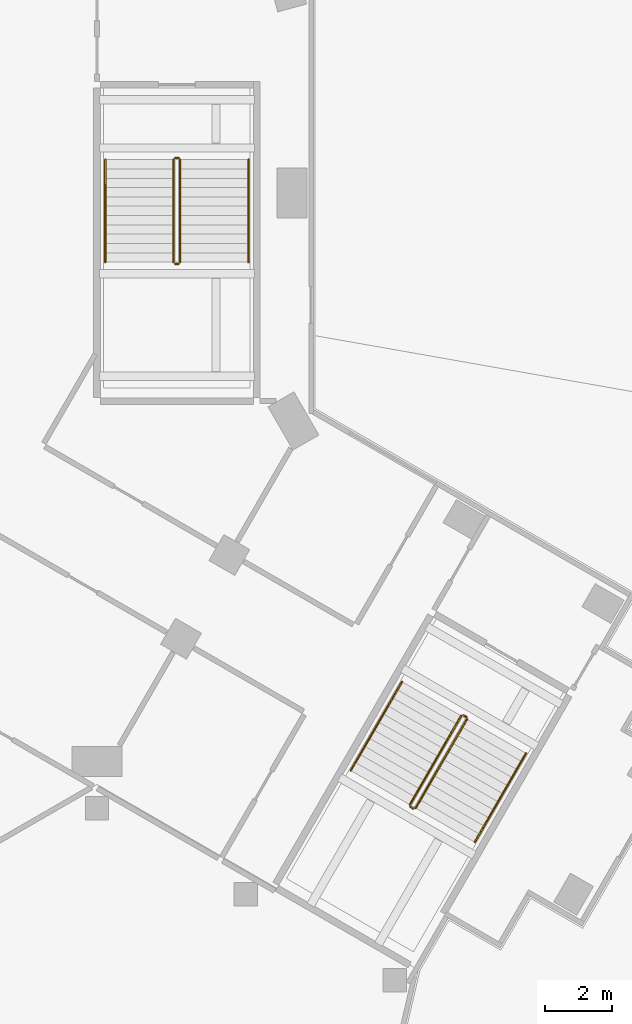
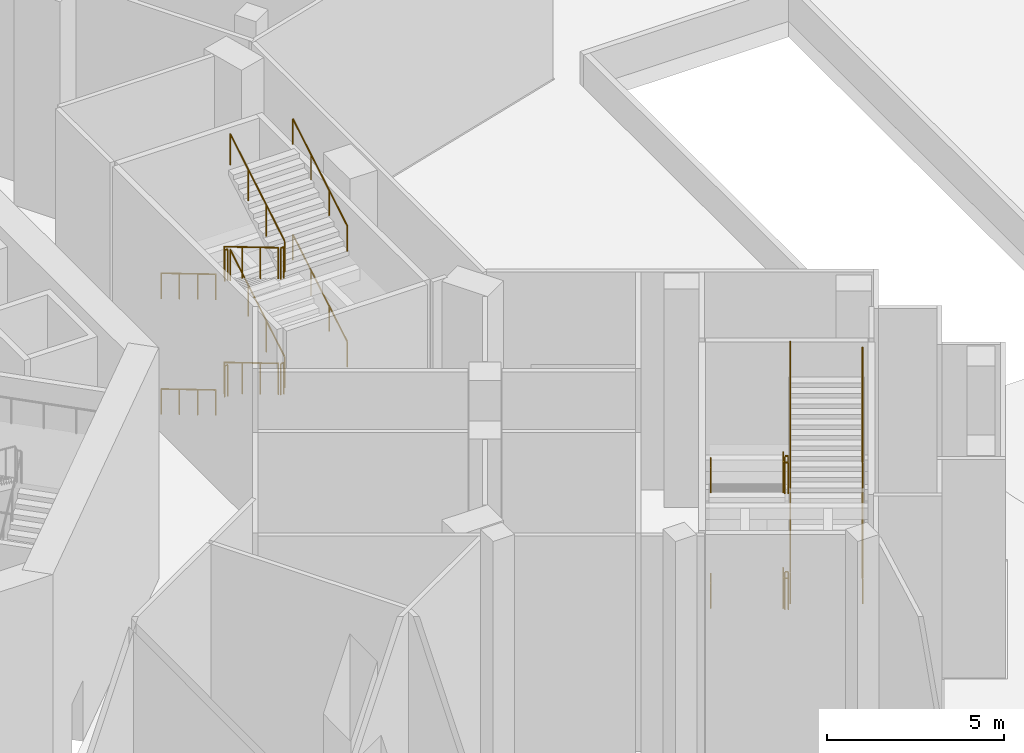
# One storey, part 26 of 30: 24 railings.
"""IFC4 building model written with IfcOpenShell, lengths in metres."""

from ifc_helpers import new_model, si_unit, direction, frame, origin, origin_2d, place, context, subcontext, project, spatial, circle, extrude, material, type_object, element, save


model = new_model("IFC4")

# Units and contexts
model_context = context("Model", 3, precision=1e-05, world=origin(), true_north=direction((0.0, 1.0)))
body_context = subcontext(model_context, "Body", "Model", "MODEL_VIEW")
ifc_project = project(units=[si_unit("LENGTHUNIT", "METRE"), si_unit("AREAUNIT", "SQUARE_METRE"), si_unit("VOLUMEUNIT", "CUBIC_METRE"), si_unit("PLANEANGLEUNIT", "RADIAN"), si_unit("MASSUNIT", "GRAM", prefix="KILO")], contexts=[model_context])

# Site, building, storey
site_placement = place(None, origin())
site = spatial("IfcSite", under=ifc_project, at=site_placement, CompositionType="ELEMENT")
building_placement = place(site_placement, origin())
building = spatial("IfcBuilding", under=site, at=building_placement, Name="Verdalira Terraces Hotel", CompositionType="ELEMENT")
storey_placement = place(building_placement, origin())
storey = spatial("IfcBuildingStorey", under=building, at=storey_placement, Name="L00", CompositionType="ELEMENT", Elevation=0.0)

# Railings
ifc_material_1 = material(Name="Stainless steel", Category="steel")
railing_type_1 = type_object("IfcRailingType", Name="Stair guard 1100", PredefinedType="GUARDRAIL", material=ifc_material_1)
railing_1_placement = place(storey_placement, frame((28.694092, -15.700439, 0.166748)))
element("IfcRailing", 1, at=railing_1_placement, inside=storey, type_object=railing_type_1, Name="L00 PS3 stair guard 1", PredefinedType="GUARDRAIL", context=body_context, shape_type="SweptSolid", body=[
    extrude(circle(Radius=0.023926, at=origin_2d()), frame((0.0, 0.0, 1.076172), z_axis=(-0.429649415, -0.74418984, 0.511451721), x_axis=(0.866029833, -0.499992329, 0.0)), (0.0, 0.0, 1.0), 3.584473),
    extrude(circle(Radius=0.020996, at=origin_2d()), origin(), (0.0, 0.0, 1.0), 1.052002),
    extrude(circle(Radius=0.020996, at=origin_2d()), frame((-0.513428, -0.88916, 0.611084)), (0.0, 0.0, 1.0), 1.052002),
    extrude(circle(Radius=0.020996, at=origin_2d()), frame((-1.026611, -1.77832, 1.222168)), (0.0, 0.0, 1.0), 1.052002),
    extrude(circle(Radius=0.020996, at=origin_2d()), frame((-1.540039, -2.66748, 1.833252)), (0.0, 0.0, 1.0), 1.052002),
])
railing_2_placement = place(storey_placement, frame((27.172363, -18.436035, 2.0)))
element("IfcRailing", 2, at=railing_2_placement, inside=storey, type_object=railing_type_1, Name="L00 PS3 stair guard 2", PredefinedType="GUARDRAIL", context=body_context, shape_type="SweptSolid", body=[
    extrude(circle(Radius=0.023926, at=origin_2d()), frame((0.0, 0.0, 1.076172), z_axis=(0.865982458, -0.500074377, 0.0), x_axis=(0.500074377, 0.865982458, 0.0)), (0.0, 0.0, 1.0), 0.100098),
    extrude(circle(Radius=0.020996, at=origin_2d()), origin(), (0.0, 0.0, 1.0), 1.052002),
    extrude(circle(Radius=0.020996, at=origin_2d()), frame((0.08667, -0.050049, 0.0)), (0.0, 0.0, 1.0), 1.052002),
])
railing_3_placement = place(storey_placement, frame((27.327148, -18.467773, 2.166748)))
element("IfcRailing", 3, at=railing_3_placement, inside=storey, type_object=railing_type_1, Name="L00 PS3 stair guard 3", PredefinedType="GUARDRAIL", context=body_context, shape_type="SweptSolid", body=[
    extrude(circle(Radius=0.023926, at=origin_2d()), frame((0.0, 0.0, 1.076172), z_axis=(0.429671194, 0.744159447, 0.511477646), x_axis=(-0.866010015, 0.500026652, 0.0)), (0.0, 0.0, 1.0), 3.584229),
    extrude(circle(Radius=0.020996, at=origin_2d()), origin(), (0.0, 0.0, 1.0), 1.052002),
    extrude(circle(Radius=0.020996, at=origin_2d()), frame((0.513428, 0.88916, 0.611084)), (0.0, 0.0, 1.0), 1.052002),
    extrude(circle(Radius=0.020996, at=origin_2d()), frame((1.026611, 1.778076, 1.222168)), (0.0, 0.0, 1.0), 1.052002),
    extrude(circle(Radius=0.020996, at=origin_2d()), frame((1.540039, 2.667236, 1.833252)), (0.0, 0.0, 1.0), 1.052002),
])
railing_4_placement = place(storey_placement, frame((28.762451, -15.682129, 4.0)))
element("IfcRailing", 4, at=railing_4_placement, inside=storey, type_object=railing_type_1, Name="L00 PS3 stair guard 4", PredefinedType="GUARDRAIL", context=body_context, shape_type="SweptSolid", body=[
    extrude(circle(Radius=0.023926, at=origin_2d()), frame((0.0, 0.0, 1.076172), z_axis=(0.865370492, -0.501132629, 0.0), x_axis=(0.501132629, 0.865370492, 0.0)), (0.0, 0.0, 1.0), 0.099854),
    extrude(circle(Radius=0.020996, at=origin_2d()), origin(), (0.0, 0.0, 1.0), 1.052002),
    extrude(circle(Radius=0.020996, at=origin_2d()), frame((0.086426, -0.050049, 0.0)), (0.0, 0.0, 1.0), 1.052002),
])
railing_5_placement = place(storey_placement, frame((28.694092, -15.700439, 4.166748)))
element("IfcRailing", 5, at=railing_5_placement, inside=storey, type_object=railing_type_1, Name="L00 PS3 stair guard 5", PredefinedType="GUARDRAIL", context=body_context, shape_type="SweptSolid", body=[
    extrude(circle(Radius=0.023926, at=origin_2d()), frame((0.0, 0.0, 1.076172), z_axis=(-0.429649415, -0.74418984, 0.511451721), x_axis=(0.866029833, -0.499992329, 0.0)), (0.0, 0.0, 1.0), 3.584473),
    extrude(circle(Radius=0.020996, at=origin_2d()), origin(), (0.0, 0.0, 1.0), 1.052002),
    extrude(circle(Radius=0.020996, at=origin_2d()), frame((-0.513428, -0.88916, 0.611084)), (0.0, 0.0, 1.0), 1.052002),
    extrude(circle(Radius=0.020996, at=origin_2d()), frame((-1.026611, -1.77832, 1.222168)), (0.0, 0.0, 1.0), 1.052002),
    extrude(circle(Radius=0.020996, at=origin_2d()), frame((-1.540039, -2.66748, 1.833252)), (0.0, 0.0, 1.0), 1.052002),
])
railing_6_placement = place(storey_placement, frame((27.172363, -18.436035, 6.0)))
element("IfcRailing", 6, at=railing_6_placement, inside=storey, type_object=railing_type_1, Name="L00 PS3 stair guard 6", PredefinedType="GUARDRAIL", context=body_context, shape_type="SweptSolid", body=[
    extrude(circle(Radius=0.023926, at=origin_2d()), frame((0.0, 0.0, 1.076172), z_axis=(0.865982458, -0.500074377, 0.0), x_axis=(0.500074377, 0.865982458, 0.0)), (0.0, 0.0, 1.0), 0.100098),
    extrude(circle(Radius=0.020996, at=origin_2d()), origin(), (0.0, 0.0, 1.0), 1.052002),
    extrude(circle(Radius=0.020996, at=origin_2d()), frame((0.08667, -0.050049, 0.0)), (0.0, 0.0, 1.0), 1.052002),
])
railing_7_placement = place(storey_placement, frame((27.327148, -18.467773, 6.166748)))
element("IfcRailing", 7, at=railing_7_placement, inside=storey, type_object=railing_type_1, Name="L00 PS3 stair guard 7", PredefinedType="GUARDRAIL", context=body_context, shape_type="SweptSolid", body=[
    extrude(circle(Radius=0.023926, at=origin_2d()), frame((0.0, 0.0, 1.076172), z_axis=(0.429671194, 0.744159447, 0.511477646), x_axis=(-0.866010015, 0.500026652, 0.0)), (0.0, 0.0, 1.0), 3.584229),
    extrude(circle(Radius=0.020996, at=origin_2d()), origin(), (0.0, 0.0, 1.0), 1.052002),
    extrude(circle(Radius=0.020996, at=origin_2d()), frame((0.513428, 0.88916, 0.611084)), (0.0, 0.0, 1.0), 1.052002),
    extrude(circle(Radius=0.020996, at=origin_2d()), frame((1.026611, 1.778076, 1.222168)), (0.0, 0.0, 1.0), 1.052002),
    extrude(circle(Radius=0.020996, at=origin_2d()), frame((1.540039, 2.667236, 1.833252)), (0.0, 0.0, 1.0), 1.052002),
])
railing_8_placement = place(storey_placement, frame((28.762451, -15.682129, 0.0)))
element("IfcRailing", 8, at=railing_8_placement, inside=storey, type_object=railing_type_1, Name="L00 PS3 stair guard 8", PredefinedType="GUARDRAIL", context=body_context, shape_type="SweptSolid", body=[
    extrude(circle(Radius=0.023926, at=origin_2d()), frame((0.0, 0.0, 1.076172), z_axis=(0.865370492, -0.501132629, 0.0), x_axis=(0.501132629, 0.865370492, 0.0)), (0.0, 0.0, 1.0), 0.099854),
    extrude(circle(Radius=0.020996, at=origin_2d()), origin(), (0.0, 0.0, 1.0), 1.052002),
    extrude(circle(Radius=0.020996, at=origin_2d()), frame((0.086426, -0.050049, 0.0)), (0.0, 0.0, 1.0), 1.052002),
])
railing_9_placement = place(storey_placement, frame((20.05835, 1.0, 0.166748)))
element("IfcRailing", 9, at=railing_9_placement, inside=storey, type_object=railing_type_1, Name="L00 PS4 stair guard 1", PredefinedType="GUARDRAIL", context=body_context, shape_type="SweptSolid", body=[
    extrude(circle(Radius=0.023926, at=origin_2d()), frame((0.0, 0.0, 1.076172), z_axis=(0.0, -0.859308565, 0.511457515), x_axis=(1.0, 0.0, 0.0)), (0.0, 0.0, 1.0), 3.584473),
    extrude(circle(Radius=0.020996, at=origin_2d()), origin(), (0.0, 0.0, 1.0), 1.052002),
    extrude(circle(Radius=0.020996, at=origin_2d()), frame((0.0, -1.026611, 0.611084)), (0.0, 0.0, 1.0), 1.052002),
    extrude(circle(Radius=0.020996, at=origin_2d()), frame((0.0, -2.053467, 1.222168)), (0.0, 0.0, 1.0), 1.052002),
    extrude(circle(Radius=0.020996, at=origin_2d()), frame((0.0, -3.080078, 1.833252)), (0.0, 0.0, 1.0), 1.052002),
])
railing_10_placement = place(storey_placement, frame((20.108398, -2.129883, 2.0)))
element("IfcRailing", 10, at=railing_10_placement, inside=storey, type_object=railing_type_1, Name="L00 PS4 stair guard 2", PredefinedType="GUARDRAIL", context=body_context, shape_type="SweptSolid", body=[
    extrude(circle(Radius=0.023926, at=origin_2d()), frame((0.0, 0.0, 1.076172), z_axis=(1.0, 0.0, 0.0), x_axis=(0.0, 1.0, 0.0)), (0.0, 0.0, 1.0), 0.099854),
    extrude(circle(Radius=0.020996, at=origin_2d()), origin(), (0.0, 0.0, 1.0), 1.052002),
    extrude(circle(Radius=0.020996, at=origin_2d()), frame((0.099854, 0.0, 0.0)), (0.0, 0.0, 1.0), 1.052002),
])
railing_11_placement = place(storey_placement, frame((20.258301, -2.080078, 2.166748)))
element("IfcRailing", 11, at=railing_11_placement, inside=storey, type_object=railing_type_1, Name="L00 PS4 stair guard 3", PredefinedType="GUARDRAIL", context=body_context, shape_type="SweptSolid", body=[
    extrude(circle(Radius=0.023926, at=origin_2d()), frame((0.0, 0.0, 1.076172), z_axis=(0.0, 0.859308565, 0.511457515), x_axis=(-1.0, 0.0, 0.0)), (0.0, 0.0, 1.0), 3.584473),
    extrude(circle(Radius=0.020996, at=origin_2d()), origin(), (0.0, 0.0, 1.0), 1.052002),
    extrude(circle(Radius=0.020996, at=origin_2d()), frame((0.0, 1.026611, 0.611084)), (0.0, 0.0, 1.0), 1.052002),
    extrude(circle(Radius=0.020996, at=origin_2d()), frame((0.0, 2.053467, 1.222168)), (0.0, 0.0, 1.0), 1.052002),
    extrude(circle(Radius=0.020996, at=origin_2d()), frame((0.0, 3.080078, 1.833252)), (0.0, 0.0, 1.0), 1.052002),
])
railing_12_placement = place(storey_placement, frame((20.108398, 1.050049, 4.0)))
element("IfcRailing", 12, at=railing_12_placement, inside=storey, type_object=railing_type_1, Name="L00 PS4 stair guard 4", PredefinedType="GUARDRAIL", context=body_context, shape_type="SweptSolid", body=[
    extrude(circle(Radius=0.023926, at=origin_2d()), frame((0.0, 0.0, 1.076172), z_axis=(1.0, 0.0, 0.0), x_axis=(0.0, 1.0, 0.0)), (0.0, 0.0, 1.0), 0.099854),
    extrude(circle(Radius=0.020996, at=origin_2d()), origin(), (0.0, 0.0, 1.0), 1.052002),
    extrude(circle(Radius=0.020996, at=origin_2d()), frame((0.099854, 0.0, 0.0)), (0.0, 0.0, 1.0), 1.052002),
])
railing_13_placement = place(storey_placement, frame((20.05835, 1.0, 4.166748)))
element("IfcRailing", 13, at=railing_13_placement, inside=storey, type_object=railing_type_1, Name="L00 PS4 stair guard 5", PredefinedType="GUARDRAIL", context=body_context, shape_type="SweptSolid", body=[
    extrude(circle(Radius=0.023926, at=origin_2d()), frame((0.0, 0.0, 1.076172), z_axis=(0.0, -0.859308565, 0.511457515), x_axis=(1.0, 0.0, 0.0)), (0.0, 0.0, 1.0), 3.584473),
    extrude(circle(Radius=0.020996, at=origin_2d()), origin(), (0.0, 0.0, 1.0), 1.052002),
    extrude(circle(Radius=0.020996, at=origin_2d()), frame((0.0, -1.026611, 0.611084)), (0.0, 0.0, 1.0), 1.052002),
    extrude(circle(Radius=0.020996, at=origin_2d()), frame((0.0, -2.053467, 1.222168)), (0.0, 0.0, 1.0), 1.052002),
    extrude(circle(Radius=0.020996, at=origin_2d()), frame((0.0, -3.080078, 1.833252)), (0.0, 0.0, 1.0), 1.052002),
])
railing_14_placement = place(storey_placement, frame((20.108398, -2.129883, 6.0)))
element("IfcRailing", 14, at=railing_14_placement, inside=storey, type_object=railing_type_1, Name="L00 PS4 stair guard 6", PredefinedType="GUARDRAIL", context=body_context, shape_type="SweptSolid", body=[
    extrude(circle(Radius=0.023926, at=origin_2d()), frame((0.0, 0.0, 1.076172), z_axis=(1.0, 0.0, 0.0), x_axis=(0.0, 1.0, 0.0)), (0.0, 0.0, 1.0), 0.099854),
    extrude(circle(Radius=0.020996, at=origin_2d()), origin(), (0.0, 0.0, 1.0), 1.052002),
    extrude(circle(Radius=0.020996, at=origin_2d()), frame((0.099854, 0.0, 0.0)), (0.0, 0.0, 1.0), 1.052002),
])
railing_15_placement = place(storey_placement, frame((20.258301, -2.080078, 6.166748)))
element("IfcRailing", 15, at=railing_15_placement, inside=storey, type_object=railing_type_1, Name="L00 PS4 stair guard 7", PredefinedType="GUARDRAIL", context=body_context, shape_type="SweptSolid", body=[
    extrude(circle(Radius=0.023926, at=origin_2d()), frame((0.0, 0.0, 1.076172), z_axis=(0.0, 0.859308565, 0.511457515), x_axis=(-1.0, 0.0, 0.0)), (0.0, 0.0, 1.0), 3.584473),
    extrude(circle(Radius=0.020996, at=origin_2d()), origin(), (0.0, 0.0, 1.0), 1.052002),
    extrude(circle(Radius=0.020996, at=origin_2d()), frame((0.0, 1.026611, 0.611084)), (0.0, 0.0, 1.0), 1.052002),
    extrude(circle(Radius=0.020996, at=origin_2d()), frame((0.0, 2.053467, 1.222168)), (0.0, 0.0, 1.0), 1.052002),
    extrude(circle(Radius=0.020996, at=origin_2d()), frame((0.0, 3.080078, 1.833252)), (0.0, 0.0, 1.0), 1.052002),
])
railing_16_placement = place(storey_placement, frame((20.108398, 1.050049, 0.0)))
element("IfcRailing", 16, at=railing_16_placement, inside=storey, type_object=railing_type_1, Name="L00 PS4 stair guard 8", PredefinedType="GUARDRAIL", context=body_context, shape_type="SweptSolid", body=[
    extrude(circle(Radius=0.023926, at=origin_2d()), frame((0.0, 0.0, 1.076172), z_axis=(1.0, 0.0, 0.0), x_axis=(0.0, 1.0, 0.0)), (0.0, 0.0, 1.0), 0.099854),
    extrude(circle(Radius=0.020996, at=origin_2d()), origin(), (0.0, 0.0, 1.0), 1.052002),
    extrude(circle(Radius=0.020996, at=origin_2d()), frame((0.099854, 0.0, 0.0)), (0.0, 0.0, 1.0), 1.052002),
])
ifc_material_2 = material(Name="Stainless steel", Category="steel")
railing_type_2 = type_object("IfcRailingType", Name="Stair handrail 900", PredefinedType="HANDRAIL", material=ifc_material_2)
railing_17_placement = place(storey_placement, frame((26.918701, -14.675537, 0.166748)))
element("IfcRailing", 17, at=railing_17_placement, inside=storey, type_object=railing_type_2, Name="L00 PS3 stair handrail 1", PredefinedType="HANDRAIL", context=body_context, shape_type="SweptSolid", body=[
    extrude(circle(Radius=0.023926, at=origin_2d()), frame((0.0, 0.0, 0.875977), z_axis=(-0.429671194, -0.744159447, 0.511477646), x_axis=(0.866010015, -0.500026652, 0.0)), (0.0, 0.0, 1.0), 3.584229),
    extrude(circle(Radius=0.020996, at=origin_2d()), origin(), (0.0, 0.0, 1.0), 0.851807),
    extrude(circle(Radius=0.020996, at=origin_2d()), frame((-0.513428, -0.88916, 0.611084)), (0.0, 0.0, 1.0), 0.851807),
    extrude(circle(Radius=0.020996, at=origin_2d()), frame((-1.026611, -1.778076, 1.222168)), (0.0, 0.0, 1.0), 0.851807),
    extrude(circle(Radius=0.020996, at=origin_2d()), frame((-1.540039, -2.667236, 1.833252)), (0.0, 0.0, 1.0), 0.851807),
])
railing_18_placement = place(storey_placement, frame((29.102539, -19.49292, 2.166748)))
element("IfcRailing", 18, at=railing_18_placement, inside=storey, type_object=railing_type_2, Name="L00 PS3 stair handrail 2", PredefinedType="HANDRAIL", context=body_context, shape_type="SweptSolid", body=[
    extrude(circle(Radius=0.023926, at=origin_2d()), frame((0.0, 0.0, 0.875977), z_axis=(0.429649415, 0.74418984, 0.511451721), x_axis=(-0.866029833, 0.499992329, 0.0)), (0.0, 0.0, 1.0), 3.584473),
    extrude(circle(Radius=0.020996, at=origin_2d()), origin(), (0.0, 0.0, 1.0), 0.851807),
    extrude(circle(Radius=0.020996, at=origin_2d()), frame((0.513428, 0.88916, 0.611084)), (0.0, 0.0, 1.0), 0.851807),
    extrude(circle(Radius=0.020996, at=origin_2d()), frame((1.026611, 1.77832, 1.222168)), (0.0, 0.0, 1.0), 0.851807),
    extrude(circle(Radius=0.020996, at=origin_2d()), frame((1.540039, 2.66748, 1.833252)), (0.0, 0.0, 1.0), 0.851807),
])
railing_19_placement = place(storey_placement, frame((26.918701, -14.675537, 4.166748)))
element("IfcRailing", 19, at=railing_19_placement, inside=storey, type_object=railing_type_2, Name="L00 PS3 stair handrail 3", PredefinedType="HANDRAIL", context=body_context, shape_type="SweptSolid", body=[
    extrude(circle(Radius=0.023926, at=origin_2d()), frame((0.0, 0.0, 0.875977), z_axis=(-0.429671194, -0.744159447, 0.511477646), x_axis=(0.866010015, -0.500026652, 0.0)), (0.0, 0.0, 1.0), 3.584229),
    extrude(circle(Radius=0.020996, at=origin_2d()), origin(), (0.0, 0.0, 1.0), 0.851807),
    extrude(circle(Radius=0.020996, at=origin_2d()), frame((-0.513428, -0.88916, 0.611084)), (0.0, 0.0, 1.0), 0.851807),
    extrude(circle(Radius=0.020996, at=origin_2d()), frame((-1.026611, -1.778076, 1.222168)), (0.0, 0.0, 1.0), 0.851807),
    extrude(circle(Radius=0.020996, at=origin_2d()), frame((-1.540039, -2.667236, 1.833252)), (0.0, 0.0, 1.0), 0.851807),
])
railing_20_placement = place(storey_placement, frame((29.102539, -19.49292, 6.166748)))
element("IfcRailing", 20, at=railing_20_placement, inside=storey, type_object=railing_type_2, Name="L00 PS3 stair handrail 4", PredefinedType="HANDRAIL", context=body_context, shape_type="SweptSolid", body=[
    extrude(circle(Radius=0.023926, at=origin_2d()), frame((0.0, 0.0, 0.875977), z_axis=(0.429649415, 0.74418984, 0.511451721), x_axis=(-0.866029833, 0.499992329, 0.0)), (0.0, 0.0, 1.0), 3.584473),
    extrude(circle(Radius=0.020996, at=origin_2d()), origin(), (0.0, 0.0, 1.0), 0.851807),
    extrude(circle(Radius=0.020996, at=origin_2d()), frame((0.513428, 0.88916, 0.611084)), (0.0, 0.0, 1.0), 0.851807),
    extrude(circle(Radius=0.020996, at=origin_2d()), frame((1.026611, 1.77832, 1.222168)), (0.0, 0.0, 1.0), 0.851807),
    extrude(circle(Radius=0.020996, at=origin_2d()), frame((1.540039, 2.66748, 1.833252)), (0.0, 0.0, 1.0), 0.851807),
])
railing_21_placement = place(storey_placement, frame((18.008301, 1.0, 0.166748)))
element("IfcRailing", 21, at=railing_21_placement, inside=storey, type_object=railing_type_2, Name="L00 PS4 stair handrail 1", PredefinedType="HANDRAIL", context=body_context, shape_type="SweptSolid", body=[
    extrude(circle(Radius=0.023926, at=origin_2d()), frame((0.0, 0.0, 0.875977), z_axis=(0.0, -0.859308565, 0.511457515), x_axis=(1.0, 0.0, 0.0)), (0.0, 0.0, 1.0), 3.584473),
    extrude(circle(Radius=0.020996, at=origin_2d()), origin(), (0.0, 0.0, 1.0), 0.851807),
    extrude(circle(Radius=0.020996, at=origin_2d()), frame((0.0, -1.026611, 0.611084)), (0.0, 0.0, 1.0), 0.851807),
    extrude(circle(Radius=0.020996, at=origin_2d()), frame((0.0, -2.053467, 1.222168)), (0.0, 0.0, 1.0), 0.851807),
    extrude(circle(Radius=0.020996, at=origin_2d()), frame((0.0, -3.080078, 1.833252)), (0.0, 0.0, 1.0), 0.851807),
])
railing_22_placement = place(storey_placement, frame((22.30835, -2.080078, 2.166748)))
element("IfcRailing", 22, at=railing_22_placement, inside=storey, type_object=railing_type_2, Name="L00 PS4 stair handrail 2", PredefinedType="HANDRAIL", context=body_context, shape_type="SweptSolid", body=[
    extrude(circle(Radius=0.023926, at=origin_2d()), frame((0.0, 0.0, 0.875977), z_axis=(0.0, 0.859308565, 0.511457515), x_axis=(-1.0, 0.0, 0.0)), (0.0, 0.0, 1.0), 3.584473),
    extrude(circle(Radius=0.020996, at=origin_2d()), origin(), (0.0, 0.0, 1.0), 0.851807),
    extrude(circle(Radius=0.020996, at=origin_2d()), frame((0.0, 1.026611, 0.611084)), (0.0, 0.0, 1.0), 0.851807),
    extrude(circle(Radius=0.020996, at=origin_2d()), frame((0.0, 2.053467, 1.222168)), (0.0, 0.0, 1.0), 0.851807),
    extrude(circle(Radius=0.020996, at=origin_2d()), frame((0.0, 3.080078, 1.833252)), (0.0, 0.0, 1.0), 0.851807),
])
railing_23_placement = place(storey_placement, frame((18.008301, 1.0, 4.166748)))
element("IfcRailing", 23, at=railing_23_placement, inside=storey, type_object=railing_type_2, Name="L00 PS4 stair handrail 3", PredefinedType="HANDRAIL", context=body_context, shape_type="SweptSolid", body=[
    extrude(circle(Radius=0.023926, at=origin_2d()), frame((0.0, 0.0, 0.875977), z_axis=(0.0, -0.859308565, 0.511457515), x_axis=(1.0, 0.0, 0.0)), (0.0, 0.0, 1.0), 3.584473),
    extrude(circle(Radius=0.020996, at=origin_2d()), origin(), (0.0, 0.0, 1.0), 0.851807),
    extrude(circle(Radius=0.020996, at=origin_2d()), frame((0.0, -1.026611, 0.611084)), (0.0, 0.0, 1.0), 0.851807),
    extrude(circle(Radius=0.020996, at=origin_2d()), frame((0.0, -2.053467, 1.222168)), (0.0, 0.0, 1.0), 0.851807),
    extrude(circle(Radius=0.020996, at=origin_2d()), frame((0.0, -3.080078, 1.833252)), (0.0, 0.0, 1.0), 0.851807),
])
railing_24_placement = place(storey_placement, frame((22.30835, -2.080078, 6.166748)))
element("IfcRailing", 24, at=railing_24_placement, inside=storey, type_object=railing_type_2, Name="L00 PS4 stair handrail 4", PredefinedType="HANDRAIL", context=body_context, shape_type="SweptSolid", body=[
    extrude(circle(Radius=0.023926, at=origin_2d()), frame((0.0, 0.0, 0.875977), z_axis=(0.0, 0.859308565, 0.511457515), x_axis=(-1.0, 0.0, 0.0)), (0.0, 0.0, 1.0), 3.584473),
    extrude(circle(Radius=0.020996, at=origin_2d()), origin(), (0.0, 0.0, 1.0), 0.851807),
    extrude(circle(Radius=0.020996, at=origin_2d()), frame((0.0, 1.026611, 0.611084)), (0.0, 0.0, 1.0), 0.851807),
    extrude(circle(Radius=0.020996, at=origin_2d()), frame((0.0, 2.053467, 1.222168)), (0.0, 0.0, 1.0), 0.851807),
    extrude(circle(Radius=0.020996, at=origin_2d()), frame((0.0, 3.080078, 1.833252)), (0.0, 0.0, 1.0), 0.851807),
])

save(model, "model.ifc")
